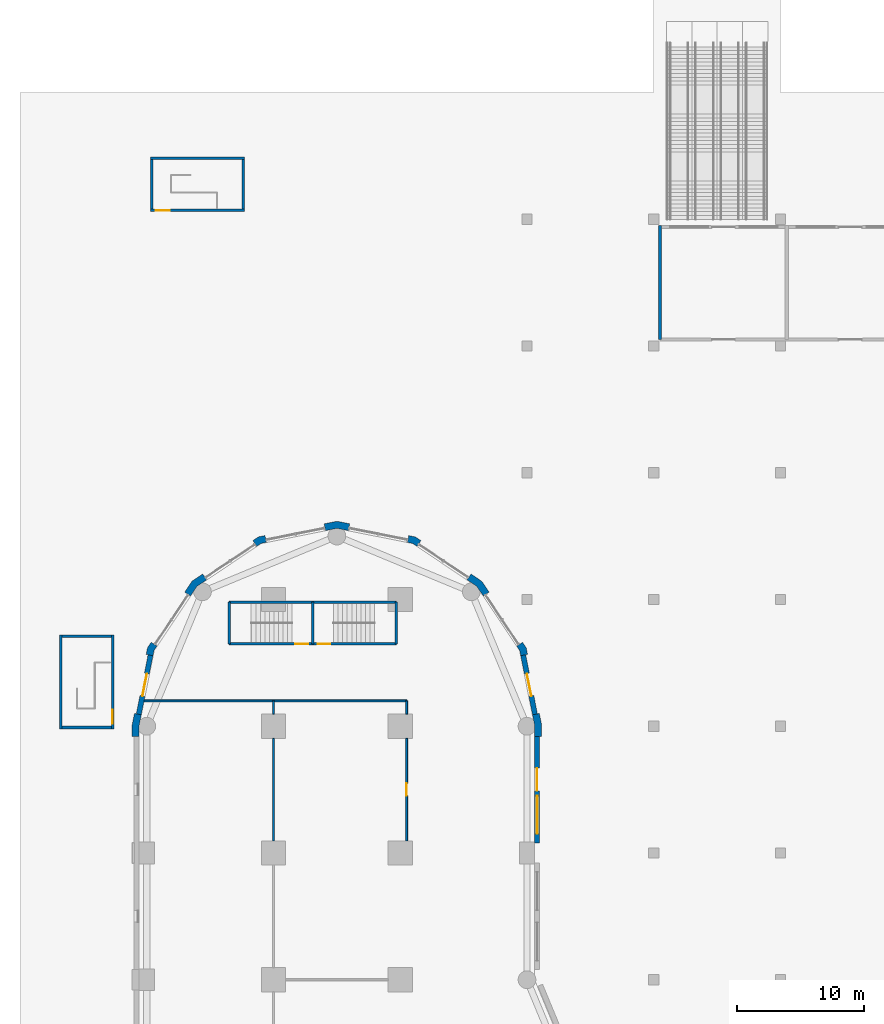
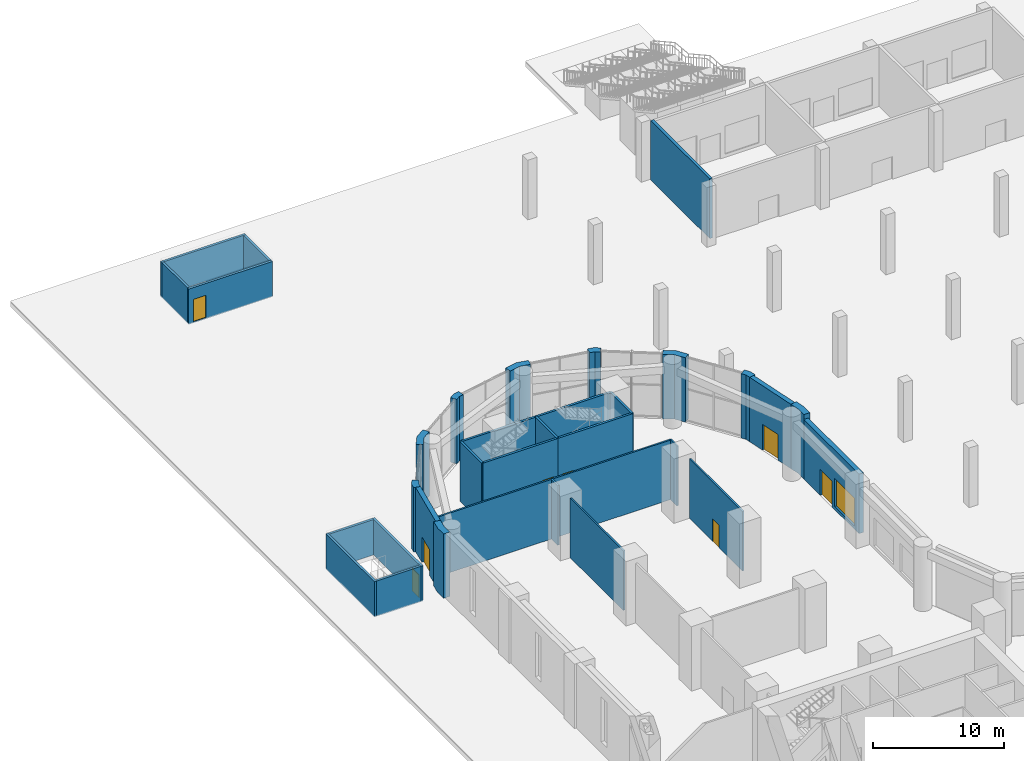
# One storey, part 12 of 21: 33 walls, 8 doors, 1 window, 9 openings.
"""IFC4 building model written with IfcOpenShell, lengths in metres."""

from ifc_helpers import new_model, si_unit, direction, frame, frame_2d, origin, place, context, subcontext, project, spatial, polyline, rectangle, outline, extrude, material, layer, layer_set, type_object, element, fill, save


model = new_model("IFC4")

# Units and contexts
model_context = context("Model", 3, precision=1e-05, world=origin(), true_north=direction((0.0, 1.0)))
body_context = subcontext(model_context, "Body", "Model", "MODEL_VIEW")
ifc_project = project(units=[si_unit("LENGTHUNIT", "METRE"), si_unit("AREAUNIT", "SQUARE_METRE"), si_unit("VOLUMEUNIT", "CUBIC_METRE"), si_unit("PLANEANGLEUNIT", "RADIAN"), si_unit("MASSUNIT", "GRAM", prefix="KILO")], contexts=[model_context])

# Site, building, storey
site_placement = place(None, origin())
site = spatial("IfcSite", under=ifc_project, at=site_placement, CompositionType="ELEMENT")
building_placement = place(site_placement, origin())
building = spatial("IfcBuilding", under=site, at=building_placement, Name="Qaws Garden Tower", CompositionType="ELEMENT")
storey_placement = place(building_placement, origin())
storey = spatial("IfcBuildingStorey", under=building, at=storey_placement, Name="L00", CompositionType="ELEMENT", Elevation=0.0)

# Wall, openings, door, window
ifc_material_1 = material(Name="Brick masonry", Category="masonry")
ifc_layer_1 = layer(ifc_material_1, 0.39990234375)
ifc_layer_set_1 = layer_set([ifc_layer_1], Name="Brick masonry")
wall_type_1 = type_object("IfcWallType", Name="Base facade wall 400", PredefinedType="SOLIDWALL", material=ifc_layer_set_1)
wall_1_placement = place(storey_placement, frame((30.800048828125, 50.800048828125, 0.0), z_axis=(0.0, 0.0, 1.0), x_axis=(0.0, 1.0, 0.0)))
wall_1 = element("IfcWall", 1, at=wall_1_placement, inside=storey, type_object=wall_type_1, Name="Base facade wall", PredefinedType="SOLIDWALL", context=body_context, shape_type="SweptSolid", body=[
    extrude(rectangle(XDim=8.39990234375, YDim=0.39990234375, at=frame_2d((4.199951171875, 0.0))), origin(), (0.0, 0.0, 1.0), 5.550048828125),
])
opening_1_placement = place(wall_1_placement, frame((0.699951171875, 0.0, 0.300048828125)))
opening_1 = element("IfcOpeningElement", 2, at=opening_1_placement, cuts=wall_1, Name="Opening PW-S1", PredefinedType="OPENING", context=body_context, shape_type="SweptSolid", body=[
    extrude(rectangle(XDim=3.0, YDim=2.60009765625, at=frame_2d((1.5, 1.300048828125))), frame((0.0, 0.2099609375, 0.0), z_axis=(0.0, -1.0, 0.0), x_axis=(1.0, 0.0, 0.0)), (0.0, 0.0, 1.0), 0.419921875),
])
opening_2_placement = place(wall_1_placement, frame((4.10009765625, 0.0, 0.0)))
opening_2 = element("IfcOpeningElement", 3, at=opening_2_placement, cuts=wall_1, Name="Opening PD6-06", PredefinedType="OPENING", context=body_context, shape_type="SweptSolid", body=[
    extrude(rectangle(XDim=1.800048828125, YDim=2.39990234375, at=frame_2d((0.89990234375, 1.199951171875))), frame((0.0, 0.2099609375, 0.0), z_axis=(0.0, -1.0, 0.0), x_axis=(1.0, 0.0, 0.0)), (0.0, 0.0, 1.0), 0.419921875),
])
ifc_material_2 = material(Name="Steel S235 framed door leaf", Category="steel")
door_type_1 = type_object("IfcDoorType", Name="Door D6 shopfront entrance 1800", OperationType="DOUBLE_DOOR_SINGLE_SWING", PredefinedType="DOOR", material=ifc_material_2)
door_1_placement = place(opening_2_placement, origin())
door_1 = element("IfcDoor", 4, at=door_1_placement, inside=storey, type_object=door_type_1, Name="Tower entrance door", OperationType="DOUBLE_DOOR_SINGLE_SWING", OverallHeight=2.39990234375, OverallWidth=1.800048828125, PredefinedType="DOOR", context=body_context, shape_type="SweptSolid", body=[
    extrude(rectangle(XDim=1.800048828125, YDim=2.39990234375, at=frame_2d((0.89990234375, 1.199951171875))), frame((0.0, 0.02490234375, 0.0), z_axis=(0.0, -1.0, 0.0), x_axis=(1.0, 0.0, 0.0)), (0.0, 0.0, 1.0), 0.050048828125),
])
fill(opening_2, door_1)
ifc_material_3 = material(Name="Aluminium and clear glass", Category="aluminium")
window_type = type_object("IfcWindowType", Name="Shopfront window 3000", PartitioningType="TRIPLE_PANEL_VERTICAL", PredefinedType="WINDOW", material=ifc_material_3)
window_placement = place(opening_1_placement, origin())
window = element("IfcWindow", 5, at=window_placement, inside=storey, type_object=window_type, Name="Shopfront window", OverallHeight=2.60009765625, OverallWidth=3.0, PartitioningType="SINGLE_PANEL", PredefinedType="WINDOW", context=body_context, shape_type="SweptSolid", body=[
    extrude(rectangle(XDim=3.0, YDim=2.60009765625, at=frame_2d((1.5, 1.300048828125))), frame((0.0, 0.030029296875, 0.0), z_axis=(0.0, -1.0, 0.0), x_axis=(1.0, 0.0, 0.0)), (0.0, 0.0, 1.0), 0.06005859375),
])
fill(opening_1, window)

# Wall, opening, door
ifc_material_4 = material(Name="Concrete C80", Category="concrete")
ifc_layer_2 = layer(ifc_material_4, 0.199951171875)
ifc_layer_set_2 = layer_set([ifc_layer_2], Name="Concrete C80")
wall_type_2 = type_object("IfcWallType", Name="Core shaft wall 200 C80", PredefinedType="SHEAR", material=ifc_layer_set_2)
wall_2_placement = place(storey_placement, frame((6.5, 66.5, 0.0), z_axis=(0.0, 0.0, 1.0), x_axis=(1.0, 0.0, 0.0)))
wall_2 = element("IfcWall", 6, at=wall_2_placement, inside=storey, type_object=wall_type_2, Name="Shaft wall", PredefinedType="SHEAR", context=body_context, shape_type="SweptSolid", body=[
    extrude(rectangle(XDim=6.60009765625, YDim=0.199951171875, at=frame_2d((3.300048828125, 0.0))), origin(), (0.0, 0.0, 1.0), 5.550048828125),
])
opening_3_placement = place(wall_2_placement, frame((5.22509765625, 0.0, 0.0)))
opening_3 = element("IfcOpeningElement", 7, at=opening_3_placement, cuts=wall_2, Name="Opening SD15", PredefinedType="OPENING", context=body_context, shape_type="SweptSolid", body=[
    extrude(rectangle(XDim=1.0, YDim=2.10009765625, at=frame_2d((0.5, 1.050048828125))), frame((0.0, 0.10986328125, 0.0), z_axis=(0.0, -1.0, 0.0), x_axis=(1.0, 0.0, 0.0)), (0.0, 0.0, 1.0), 0.219970703125),
])
ifc_material_5 = material(Name="Steel S235", Category="steel")
door_type_2 = type_object("IfcDoorType", Name="Stair door 1000x2100", OperationType="SINGLE_SWING_RIGHT", PredefinedType="DOOR", material=ifc_material_5)
door_2_placement = place(opening_3_placement, origin())
door_2 = element("IfcDoor", 8, at=door_2_placement, inside=storey, type_object=door_type_2, Name="Stair 6 door", OperationType="SINGLE_SWING_RIGHT", OverallHeight=2.10009765625, OverallWidth=1.0, PredefinedType="DOOR", context=body_context, shape_type="SweptSolid", body=[
    extrude(rectangle(XDim=1.0, YDim=2.10009765625, at=frame_2d((0.5, 1.050048828125))), frame((0.0, 0.02490234375, 0.0), z_axis=(0.0, -1.0, 0.0), x_axis=(1.0, 0.0, 0.0)), (0.0, 0.0, 1.0), 0.050048828125),
])
fill(opening_3, door_2)

wall_3_placement = place(storey_placement, frame((13.10009765625, 66.5, 0.0), z_axis=(0.0, 0.0, 1.0), x_axis=(1.0, 0.0, 0.0)))
wall_3 = element("IfcWall", 9, at=wall_3_placement, inside=storey, type_object=wall_type_2, Name="Shaft wall", PredefinedType="SHEAR", context=body_context, shape_type="SweptSolid", body=[
    extrude(rectangle(XDim=6.599853515625, YDim=0.199951171875, at=frame_2d((3.2998046875, 0.0))), origin(), (0.0, 0.0, 1.0), 5.550048828125),
])
opening_4_placement = place(wall_3_placement, frame((0.375, 0.0, 0.0)))
opening_4 = element("IfcOpeningElement", 10, at=opening_4_placement, cuts=wall_3, Name="Opening SD16", PredefinedType="OPENING", context=body_context, shape_type="SweptSolid", body=[
    extrude(rectangle(XDim=1.0, YDim=2.10009765625, at=frame_2d((0.5, 1.050048828125))), frame((0.0, 0.10986328125, 0.0), z_axis=(0.0, -1.0, 0.0), x_axis=(1.0, 0.0, 0.0)), (0.0, 0.0, 1.0), 0.219970703125),
])
door_3_placement = place(opening_4_placement, origin())
door_3 = element("IfcDoor", 11, at=door_3_placement, inside=storey, type_object=door_type_2, Name="Stair 7 door", OperationType="SINGLE_SWING_LEFT", OverallHeight=2.10009765625, OverallWidth=1.0, PredefinedType="DOOR", context=body_context, shape_type="SweptSolid", body=[
    extrude(rectangle(XDim=1.0, YDim=2.10009765625, at=frame_2d((0.5, 1.050048828125))), frame((0.0, 0.02490234375, 0.0), z_axis=(0.0, -1.0, 0.0), x_axis=(1.0, 0.0, 0.0)), (0.0, 0.0, 1.0), 0.050048828125),
])
fill(opening_4, door_3)

# Walls
wall_4_placement = place(storey_placement, frame((6.5, 69.800048828125, 0.0), z_axis=(0.0, 0.0, 1.0), x_axis=(1.0, 0.0, 0.0)))
element("IfcWall", 12, at=wall_4_placement, inside=storey, type_object=wall_type_2, Name="Shaft wall", PredefinedType="SHEAR", context=body_context, shape_type="SweptSolid", body=[
    extrude(rectangle(XDim=6.60009765625, YDim=0.199951171875, at=frame_2d((3.300048828125, 0.0))), origin(), (0.0, 0.0, 1.0), 5.550048828125),
])
wall_5_placement = place(storey_placement, frame((13.10009765625, 69.800048828125, 0.0), z_axis=(0.0, 0.0, 1.0), x_axis=(1.0, 0.0, 0.0)))
element("IfcWall", 13, at=wall_5_placement, inside=storey, type_object=wall_type_2, Name="Shaft wall", PredefinedType="SHEAR", context=body_context, shape_type="SweptSolid", body=[
    extrude(rectangle(XDim=6.599853515625, YDim=0.199951171875, at=frame_2d((3.2998046875, 0.0))), origin(), (0.0, 0.0, 1.0), 5.550048828125),
])
for number, where, z_axis, x_axis, name in (
    (14, (6.5, 66.5, 0.0), (0.0, 0.0, 1.0), (0.0, 1.0, 0.0), "Shaft wall"),
    (15, (13.10009765625, 66.5, 0.0), (0.0, 0.0, 1.0), (0.0, 1.0, 0.0), "Shaft wall"),
    (16, (19.699951171875, 66.5, 0.0), (0.0, 0.0, 1.0), (0.0, 1.0, 0.0), "Shaft wall"),
):
    element("IfcWall", number, at=place(storey_placement, frame(where, z_axis=z_axis, x_axis=x_axis)), inside=storey, type_object=wall_type_2, Name=name, PredefinedType="SHEAR", context=body_context, shape_type="SweptSolid", body=[
        extrude(rectangle(XDim=3.300048828125, YDim=0.199951171875, at=frame_2d((1.64990234375, 0.0))), origin(), (0.0, 0.0, 1.0), 5.550048828125),
    ])
ifc_material_6 = material(Name="Gypsum board on steel S235 stud", Category="steel")
ifc_layer_3 = layer(ifc_material_6, 0.14990234375)
ifc_layer_set_3 = layer_set([ifc_layer_3], Name="Gypsum board on steel S235 stud")
wall_type_3 = type_object("IfcWallType", Name="Partition 150", PredefinedType="PARTITIONING", material=ifc_layer_set_3)
wall_6_placement = place(storey_placement, frame((10.0, 50.949951171875, 0.0), z_axis=(0.0, 0.0, 1.0), x_axis=(0.0, 1.0, 0.0)))
element("IfcWall", 17, at=wall_6_placement, inside=storey, type_object=wall_type_3, Name="Lounge wall", PredefinedType="PARTITIONING", context=body_context, shape_type="SweptSolid", body=[
    extrude(rectangle(XDim=8.10009765625, YDim=0.14990234375, at=frame_2d((4.050048828125, 0.0))), origin(), (0.0, 0.0, 1.0), 5.550048828125),
])
wall_7_placement = place(storey_placement, frame((10.0, 60.949951171875, 0.0), z_axis=(0.0, 0.0, 1.0), x_axis=(0.0, 1.0, 0.0)))
element("IfcWall", 18, at=wall_7_placement, inside=storey, type_object=wall_type_3, Name="Lounge wall", PredefinedType="PARTITIONING", context=body_context, shape_type="SweptSolid", body=[
    extrude(rectangle(XDim=1.050048828125, YDim=0.14990234375, at=frame_2d((0.52490234375, 0.0))), origin(), (0.0, 0.0, 1.0), 5.550048828125),
])

# Wall, opening, door
wall_8_placement = place(storey_placement, frame((20.5, 50.949951171875, 0.0), z_axis=(0.0, 0.0, 1.0), x_axis=(0.0, 1.0, 0.0)))
wall_8 = element("IfcWall", 19, at=wall_8_placement, inside=storey, type_object=wall_type_3, Name="Meeting suite wall", PredefinedType="PARTITIONING", context=body_context, shape_type="SweptSolid", body=[
    extrude(rectangle(XDim=8.10009765625, YDim=0.14990234375, at=frame_2d((4.050048828125, 0.0))), origin(), (0.0, 0.0, 1.0), 5.550048828125),
])
opening_5_placement = place(wall_8_placement, frame((3.550048828125, 0.0, 0.0)))
opening_5 = element("IfcOpeningElement", 20, at=opening_5_placement, cuts=wall_8, Name="Opening PD1-04", PredefinedType="OPENING", context=body_context, shape_type="SweptSolid", body=[
    extrude(rectangle(XDim=1.0, YDim=2.10009765625, at=frame_2d((0.5, 1.050048828125))), frame((0.0, 0.0849609375, 0.0), z_axis=(0.0, -1.0, 0.0), x_axis=(1.0, 0.0, 0.0)), (0.0, 0.0, 1.0), 0.169921875),
])
ifc_material_7 = material(Name="Steel S235 framed door leaf", Category="steel")
door_type_3 = type_object("IfcDoorType", Name="Door D1 single 1000", OperationType="SINGLE_SWING_LEFT", PredefinedType="DOOR", material=ifc_material_7)
door_4_placement = place(opening_5_placement, origin())
door_4 = element("IfcDoor", 21, at=door_4_placement, inside=storey, type_object=door_type_3, Name="Meeting suite door", OperationType="SINGLE_SWING_LEFT", OverallHeight=2.10009765625, OverallWidth=1.0, PredefinedType="DOOR", context=body_context, shape_type="SweptSolid", body=[
    extrude(rectangle(XDim=1.0, YDim=2.10009765625, at=frame_2d((0.5, 1.050048828125))), frame((0.0, 0.02490234375, 0.0), z_axis=(0.0, -1.0, 0.0), x_axis=(1.0, 0.0, 0.0)), (0.0, 0.0, 1.0), 0.050048828125),
])
fill(opening_5, door_4)

# Walls
wall_9_placement = place(storey_placement, frame((20.5, 60.949951171875, 0.0), z_axis=(0.0, 0.0, 1.0), x_axis=(0.0, 1.0, 0.0)))
element("IfcWall", 22, at=wall_9_placement, inside=storey, type_object=wall_type_3, Name="Meeting suite wall", PredefinedType="PARTITIONING", context=body_context, shape_type="SweptSolid", body=[
    extrude(rectangle(XDim=1.050048828125, YDim=0.14990234375, at=frame_2d((0.52490234375, 0.0))), origin(), (0.0, 0.0, 1.0), 5.550048828125),
])
wall_10_placement = place(storey_placement, frame((-0.60009765625, 62.0, 0.0), z_axis=(0.0, 0.0, 1.0), x_axis=(1.0, 0.0, 0.0)))
element("IfcWall", 23, at=wall_10_placement, inside=storey, type_object=wall_type_3, Name="Suite north wall", PredefinedType="PARTITIONING", context=body_context, shape_type="SweptSolid", body=[
    extrude(rectangle(XDim=21.10009765625, YDim=0.14990234375, at=frame_2d((10.550048828125, 0.0))), origin(), (0.0, 0.0, 1.0), 5.550048828125),
])
ifc_material_8 = material(Name="Blockwork reinforced with steel S355", Category="masonry")
ifc_layer_4 = layer(ifc_material_8, 0.25)
ifc_layer_set_4 = layer_set([ifc_layer_4], Name="Blockwork reinforced with steel S355")
wall_type_4 = type_object("IfcWallType", Name="Shopfront wall 250", PredefinedType="STANDARD", material=ifc_layer_set_4)
wall_11_placement = place(storey_placement, frame((40.5, 90.5, 0.0), z_axis=(0.0, 0.0, 1.0), x_axis=(0.0, 1.0, 0.0)))
element("IfcWall", 24, at=wall_11_placement, inside=storey, type_object=wall_type_4, Name="Retail unit partition", PredefinedType="STANDARD", context=body_context, shape_type="SweptSolid", body=[
    extrude(rectangle(XDim=9.0, YDim=0.25, at=frame_2d((4.5, 0.0))), origin(), (0.0, 0.0, 1.0), 5.550048828125),
])

# Wall, opening, door
ifc_material_9 = material(Name="Concrete C40", Category="concrete")
ifc_layer_5 = layer(ifc_material_9, 0.199951171875)
ifc_layer_set_5 = layer_set([ifc_layer_5], Name="Concrete C40")
wall_type_5 = type_object("IfcWallType", Name="Stair enclosure wall 200", PredefinedType="SOLIDWALL", material=ifc_layer_set_5)
wall_12_placement = place(storey_placement, frame((0.300048828125, 100.699951171875, -0.10009765625), z_axis=(0.0, 0.0, 1.0), x_axis=(1.0, 0.0, 0.0)))
wall_12 = element("IfcWall", 25, at=wall_12_placement, inside=storey, type_object=wall_type_5, Name="Stair N1 enclosure wall", PredefinedType="SOLIDWALL", context=body_context, shape_type="SweptSolid", body=[
    extrude(rectangle(XDim=7.39990234375, YDim=0.199951171875, at=frame_2d((3.699951171875, 0.0))), origin(), (0.0, 0.0, 1.0), 3.300048828125),
])
opening_6_placement = place(wall_12_placement, frame((0.39990234375, 0.0, 0.10009765625)))
opening_6 = element("IfcOpeningElement", 26, at=opening_6_placement, cuts=wall_12, Name="Opening PD4-01", PredefinedType="OPENING", context=body_context, shape_type="SweptSolid", body=[
    extrude(rectangle(XDim=1.10009765625, YDim=2.10009765625, at=frame_2d((0.550048828125, 1.050048828125))), frame((0.0, 0.10986328125, 0.0), z_axis=(0.0, -1.0, 0.0), x_axis=(1.0, 0.0, 0.0)), (0.0, 0.0, 1.0), 0.219970703125),
])
ifc_material_10 = material(Name="Steel S235 framed door leaf", Category="steel")
door_type_4 = type_object("IfcDoorType", Name="Door D4 fire stair 1100", OperationType="SINGLE_SWING_LEFT", PredefinedType="DOOR", material=ifc_material_10)
door_5_placement = place(opening_6_placement, origin())
door_5 = element("IfcDoor", 27, at=door_5_placement, inside=storey, type_object=door_type_4, Name="Exit stair door", OperationType="SINGLE_SWING_LEFT", OverallHeight=2.10009765625, OverallWidth=1.10009765625, PredefinedType="DOOR", context=body_context, shape_type="SweptSolid", body=[
    extrude(rectangle(XDim=1.10009765625, YDim=2.10009765625, at=frame_2d((0.550048828125, 1.050048828125))), frame((0.0, 0.02490234375, 0.0), z_axis=(0.0, -1.0, 0.0), x_axis=(1.0, 0.0, 0.0)), (0.0, 0.0, 1.0), 0.050048828125),
])
fill(opening_6, door_5)

# Walls
wall_13_placement = place(storey_placement, frame((0.300048828125, 104.800048828125, -0.10009765625), z_axis=(0.0, 0.0, 1.0), x_axis=(1.0, 0.0, 0.0)))
element("IfcWall", 28, at=wall_13_placement, inside=storey, type_object=wall_type_5, Name="Stair N1 enclosure wall", PredefinedType="SOLIDWALL", context=body_context, shape_type="SweptSolid", body=[
    extrude(rectangle(XDim=7.39990234375, YDim=0.199951171875, at=frame_2d((3.699951171875, 0.0))), origin(), (0.0, 0.0, 1.0), 3.300048828125),
])
for number, where, z_axis, x_axis, name in (
    (29, (0.39990234375, 100.800048828125, -0.10009765625), (0.0, 0.0, 1.0), (0.0, 1.0, 0.0), "Stair N1 enclosure wall"),
    (30, (7.60009765625, 100.800048828125, -0.10009765625), (0.0, 0.0, 1.0), (0.0, 1.0, 0.0), "Stair N1 enclosure wall"),
):
    element("IfcWall", number, at=place(storey_placement, frame(where, z_axis=z_axis, x_axis=x_axis)), inside=storey, type_object=wall_type_5, Name=name, PredefinedType="SOLIDWALL", context=body_context, shape_type="SweptSolid", body=[
        extrude(rectangle(XDim=3.89990234375, YDim=0.199951171875, at=frame_2d((1.949951171875, 0.0))), origin(), (0.0, 0.0, 1.0), 3.300048828125),
    ])

# Wall, opening, door
wall_14_placement = place(storey_placement, frame((-2.699951171875, 59.800048828125, -0.10009765625), z_axis=(0.0, 0.0, 1.0), x_axis=(0.0, 1.0, 0.0)))
wall_14 = element("IfcWall", 31, at=wall_14_placement, inside=storey, type_object=wall_type_5, Name="Stair W1 enclosure wall", PredefinedType="SOLIDWALL", context=body_context, shape_type="SweptSolid", body=[
    extrude(rectangle(XDim=7.39990234375, YDim=0.199951171875, at=frame_2d((3.699951171875, 0.0))), origin(), (0.0, 0.0, 1.0), 3.300048828125),
])
opening_7_placement = place(wall_14_placement, frame((0.39990234375, 0.0, 0.10009765625)))
opening_7 = element("IfcOpeningElement", 32, at=opening_7_placement, cuts=wall_14, Name="Opening PD4-04", PredefinedType="OPENING", context=body_context, shape_type="SweptSolid", body=[
    extrude(rectangle(XDim=1.10009765625, YDim=2.10009765625, at=frame_2d((0.550048828125, 1.050048828125))), frame((0.0, 0.10986328125, 0.0), z_axis=(0.0, -1.0, 0.0), x_axis=(1.0, 0.0, 0.0)), (0.0, 0.0, 1.0), 0.219970703125),
])
door_6_placement = place(opening_7_placement, origin())
door_6 = element("IfcDoor", 33, at=door_6_placement, inside=storey, type_object=door_type_4, Name="Exit stair door", OperationType="SINGLE_SWING_LEFT", OverallHeight=2.10009765625, OverallWidth=1.10009765625, PredefinedType="DOOR", context=body_context, shape_type="SweptSolid", body=[
    extrude(rectangle(XDim=1.10009765625, YDim=2.10009765625, at=frame_2d((0.550048828125, 1.050048828125))), frame((0.0, 0.02490234375, 0.0), z_axis=(0.0, -1.0, 0.0), x_axis=(1.0, 0.0, 0.0)), (0.0, 0.0, 1.0), 0.050048828125),
])
fill(opening_7, door_6)

# Walls
wall_15_placement = place(storey_placement, frame((-6.800048828125, 59.800048828125, -0.10009765625), z_axis=(0.0, 0.0, 1.0), x_axis=(0.0, 1.0, 0.0)))
element("IfcWall", 34, at=wall_15_placement, inside=storey, type_object=wall_type_5, Name="Stair W1 enclosure wall", PredefinedType="SOLIDWALL", context=body_context, shape_type="SweptSolid", body=[
    extrude(rectangle(XDim=7.39990234375, YDim=0.199951171875, at=frame_2d((3.699951171875, 0.0))), origin(), (0.0, 0.0, 1.0), 3.300048828125),
])
for number, where, z_axis, x_axis, name in (
    (35, (-2.800048828125, 59.89990234375, -0.10009765625), (0.0, 0.0, 1.0), (-1.0, 0.0, 0.0), "Stair W1 enclosure wall"),
    (36, (-2.800048828125, 67.10009765625, -0.10009765625), (0.0, 0.0, 1.0), (-1.0, 0.0, 0.0), "Stair W1 enclosure wall"),
):
    element("IfcWall", number, at=place(storey_placement, frame(where, z_axis=z_axis, x_axis=x_axis)), inside=storey, type_object=wall_type_5, Name=name, PredefinedType="SOLIDWALL", context=body_context, shape_type="SweptSolid", body=[
        extrude(rectangle(XDim=3.89990234375, YDim=0.199951171875, at=frame_2d((1.949951171875, 0.0))), origin(), (0.0, 0.0, 1.0), 3.300048828125),
    ])

# Wall, opening, door
ifc_material_11 = material(Name="Limestone ashlar masonry", Category="masonry")
ifc_layer_6 = layer(ifc_material_11, 0.39990234375)
ifc_layer_set_6 = layer_set([ifc_layer_6], Name="Limestone ashlar masonry")
wall_type_6 = type_object("IfcWallType", Name="Stone infill wall 400", PredefinedType="SOLIDWALL", material=ifc_layer_set_6)
wall_16_placement = place(storey_placement, frame((30.628662109375, 60.940673828125, 0.0), z_axis=(0.0, 0.0, 1.0), x_axis=(-0.195098533057, 0.98078364709, 0.0)))
wall_16 = element("IfcWall", 37, at=wall_16_placement, inside=storey, type_object=wall_type_6, Name="E-L00-infill-15", PredefinedType="SOLIDWALL", context=body_context, shape_type="SweptSolid", body=[
    extrude(rectangle(XDim=4.752685546875, YDim=0.39990234375, at=frame_2d((2.37646484375, 0.0))), origin(), (0.0, 0.0, 1.0), 6.0),
])
opening_8_placement = place(wall_16_placement, frame((1.476318359375, 0.0, 0.0)))
opening_8 = element("IfcOpeningElement", 38, at=opening_8_placement, cuts=wall_16, Name="Opening XD005", PredefinedType="OPENING", context=body_context, shape_type="SweptSolid", body=[
    extrude(rectangle(XDim=1.800048828125, YDim=2.39990234375, at=frame_2d((0.89990234375, 1.199951171875))), frame((0.0, 0.2099609375, 0.0), z_axis=(0.0, -1.0, 0.0), x_axis=(1.0, 0.0, 0.0)), (0.0, 0.0, 1.0), 0.419921875),
])
ifc_material_12 = material(Name="Aluminium framed glazed door, clear glazing", Category="aluminium")
door_type_5 = type_object("IfcDoorType", Name="Stair discharge door 1800 x 2400", OperationType="DOUBLE_DOOR_DOUBLE_SWING", PredefinedType="DOOR", material=ifc_material_12)
door_7_placement = place(opening_8_placement, origin())
door_7 = element("IfcDoor", 39, at=door_7_placement, inside=storey, type_object=door_type_5, Name="E-L00-door-15", OperationType="DOUBLE_DOOR_DOUBLE_SWING", OverallHeight=2.39990234375, OverallWidth=1.800048828125, PredefinedType="DOOR", context=body_context, shape_type="SweptSolid", body=[
    extrude(rectangle(XDim=1.800048828125, YDim=2.39990234375, at=frame_2d((0.89990234375, 1.199951171875))), frame((0.0, 0.02490234375, 0.0), z_axis=(0.0, -1.0, 0.0), x_axis=(1.0, 0.0, 0.0)), (0.0, 0.0, 1.0), 0.050048828125),
])
fill(opening_8, door_7)

wall_17_placement = place(storey_placement, frame((0.298583984375, 65.60205078125, 0.0), z_axis=(0.0, 0.0, 1.0), x_axis=(-0.195098533057, -0.98078364709, 0.0)))
wall_17 = element("IfcWall", 40, at=wall_17_placement, inside=storey, type_object=wall_type_6, Name="E-L00-infill-22", PredefinedType="SOLIDWALL", context=body_context, shape_type="SweptSolid", body=[
    extrude(rectangle(XDim=4.752685546875, YDim=0.39990234375, at=frame_2d((2.37646484375, 0.0))), origin(), (0.0, 0.0, 1.0), 6.0),
])
opening_9_placement = place(wall_17_placement, frame((1.476318359375, 0.0, 0.0)))
opening_9 = element("IfcOpeningElement", 41, at=opening_9_placement, cuts=wall_17, Name="Opening XD006", PredefinedType="OPENING", context=body_context, shape_type="SweptSolid", body=[
    extrude(rectangle(XDim=1.800048828125, YDim=2.39990234375, at=frame_2d((0.89990234375, 1.199951171875))), frame((0.0, 0.2099609375, 0.0), z_axis=(0.0, -1.0, 0.0), x_axis=(1.0, 0.0, 0.0)), (0.0, 0.0, 1.0), 0.419921875),
])
door_8_placement = place(opening_9_placement, origin())
door_8 = element("IfcDoor", 42, at=door_8_placement, inside=storey, type_object=door_type_5, Name="E-L00-door-22", OperationType="DOUBLE_DOOR_DOUBLE_SWING", OverallHeight=2.39990234375, OverallWidth=1.800048828125, PredefinedType="DOOR", context=body_context, shape_type="SweptSolid", body=[
    extrude(rectangle(XDim=1.800048828125, YDim=2.39990234375, at=frame_2d((0.89990234375, 1.199951171875))), frame((0.0, 0.02490234375, 0.0), z_axis=(0.0, -1.0, 0.0), x_axis=(1.0, 0.0, 0.0)), (0.0, 0.0, 1.0), 0.050048828125),
])
fill(opening_9, door_8)

# Walls
ifc_material_13 = material(Name="Limestone ashlar masonry", Category="masonry")
ifc_layer_7 = layer(ifc_material_13, 0.550048828125)
ifc_layer_set_7 = layer_set([ifc_layer_7], Name="Limestone ashlar masonry")
wall_type_7 = type_object("IfcWallType", Name="Stone kink pier 550 x 600", PredefinedType="SOLIDWALL", material=ifc_layer_set_7)
placement = place(storey_placement, origin())
element("IfcWall", 43, at=placement, inside=storey, type_object=wall_type_7, Name="E-L00-pier-16", PredefinedType="SOLIDWALL", context=body_context, shape_type="SweptSolid", body=[
    extrude(outline(polyline([(29.8974609375, 65.64111328125), (30.044677734375, 65.67041015625), (29.94140625, 66.18896484375), (29.647705078125, 66.628662109375), (29.52294921875, 66.545166015625), (29.1904296875, 66.322998046875), (29.42333984375, 65.974365234375), (29.505126953125, 65.56298828125), (29.8974609375, 65.64111328125)])), origin(), (0.0, 0.0, 1.0), 6.0),
])
element("IfcWall", 44, at=placement, inside=storey, type_object=wall_type_7, Name="E-L00-pier-18", PredefinedType="SOLIDWALL", context=body_context, shape_type="SweptSolid", body=[
    extrude(outline(polyline([(21.545166015625, 74.52294921875), (21.628662109375, 74.647705078125), (21.18896484375, 74.94140625), (20.67041015625, 75.044677734375), (20.64111328125, 74.8974609375), (20.56298828125, 74.505126953125), (20.974365234375, 74.42333984375), (21.322998046875, 74.1904296875), (21.545166015625, 74.52294921875)])), origin(), (0.0, 0.0, 1.0), 6.0),
])
element("IfcWall", 45, at=placement, inside=storey, type_object=wall_type_7, Name="E-L00-pier-20", PredefinedType="SOLIDWALL", context=body_context, shape_type="SweptSolid", body=[
    extrude(outline(polyline([(9.35888671875, 74.8974609375), (9.32958984375, 75.044677734375), (8.81103515625, 74.94140625), (8.371337890625, 74.647705078125), (8.454833984375, 74.52294921875), (8.677001953125, 74.1904296875), (9.025634765625, 74.42333984375), (9.43701171875, 74.505126953125), (9.35888671875, 74.8974609375)])), origin(), (0.0, 0.0, 1.0), 6.0),
])
element("IfcWall", 46, at=placement, inside=storey, type_object=wall_type_7, Name="E-L00-pier-22", PredefinedType="SOLIDWALL", context=body_context, shape_type="SweptSolid", body=[
    extrude(outline(polyline([(0.47705078125, 66.545166015625), (0.352294921875, 66.628662109375), (0.05859375, 66.18896484375), (-0.044677734375, 65.67041015625), (0.1025390625, 65.64111328125), (0.494873046875, 65.56298828125), (0.57666015625, 65.974365234375), (0.8095703125, 66.322998046875), (0.47705078125, 66.545166015625)])), origin(), (0.0, 0.0, 1.0), 6.0),
])
ifc_material_14 = material(Name="Limestone ashlar masonry", Category="masonry")
ifc_layer_8 = layer(ifc_material_14, 0.550048828125)
ifc_layer_set_8 = layer_set([ifc_layer_8], Name="Limestone ashlar masonry")
wall_type_8 = type_object("IfcWallType", Name="Stone pier 550 x 1600", PredefinedType="SOLIDWALL", material=ifc_layer_set_8)
element("IfcWall", 47, at=placement, inside=storey, type_object=wall_type_8, Name="E-L00-pier-15", PredefinedType="SOLIDWALL", context=body_context, shape_type="SweptSolid", body=[
    extrude(outline(polyline([(31.0, 59.199951171875), (31.14990234375, 59.199951171875), (31.14990234375, 60.11328125), (30.971923828125, 61.009033203125), (30.82470703125, 60.979736328125), (30.432373046875, 60.901611328125), (30.60009765625, 60.05908203125), (30.60009765625, 59.199951171875), (31.0, 59.199951171875)])), origin(), (0.0, 0.0, 1.0), 6.0),
])
element("IfcWall", 48, at=placement, inside=storey, type_object=wall_type_8, Name="E-L00-pier-17", PredefinedType="SOLIDWALL", context=body_context, shape_type="SweptSolid", body=[
    extrude(outline(polyline([(26.882568359375, 70.4970703125), (27.00732421875, 70.580322265625), (26.435791015625, 71.435791015625), (25.580322265625, 72.00732421875), (25.4970703125, 71.882568359375), (25.274658203125, 71.550048828125), (26.0390625, 71.0390625), (26.550048828125, 70.274658203125), (26.882568359375, 70.4970703125)])), origin(), (0.0, 0.0, 1.0), 6.0),
])
element("IfcWall", 49, at=placement, inside=storey, type_object=wall_type_8, Name="E-L00-pier-19", PredefinedType="SOLIDWALL", context=body_context, shape_type="SweptSolid", body=[
    extrude(outline(polyline([(15.979736328125, 75.82470703125), (16.009033203125, 75.971923828125), (15.0, 76.172607421875), (13.990966796875, 75.971923828125), (14.020263671875, 75.82470703125), (14.098388671875, 75.432373046875), (15.0, 75.61181640625), (15.901611328125, 75.432373046875), (15.979736328125, 75.82470703125)])), origin(), (0.0, 0.0, 1.0), 6.0),
])
element("IfcWall", 50, at=placement, inside=storey, type_object=wall_type_8, Name="E-L00-pier-21", PredefinedType="SOLIDWALL", context=body_context, shape_type="SweptSolid", body=[
    extrude(outline(polyline([(4.5029296875, 71.882568359375), (4.419677734375, 72.00732421875), (3.564208984375, 71.435791015625), (2.99267578125, 70.580322265625), (3.117431640625, 70.4970703125), (3.449951171875, 70.274658203125), (3.9609375, 71.0390625), (4.725341796875, 71.550048828125), (4.5029296875, 71.882568359375)])), origin(), (0.0, 0.0, 1.0), 6.0),
])
element("IfcWall", 51, at=placement, inside=storey, type_object=wall_type_8, Name="E-L00-pier-23", PredefinedType="SOLIDWALL", context=body_context, shape_type="SweptSolid", body=[
    extrude(outline(polyline([(-0.82470703125, 60.979736328125), (-0.971923828125, 61.009033203125), (-1.14990234375, 60.11328125), (-1.14990234375, 59.199951171875), (-1.0, 59.199951171875), (-0.60009765625, 59.199951171875), (-0.60009765625, 60.05908203125), (-0.432373046875, 60.901611328125), (-0.82470703125, 60.979736328125)])), origin(), (0.0, 0.0, 1.0), 6.0),
])

save(model, "model.ifc")
